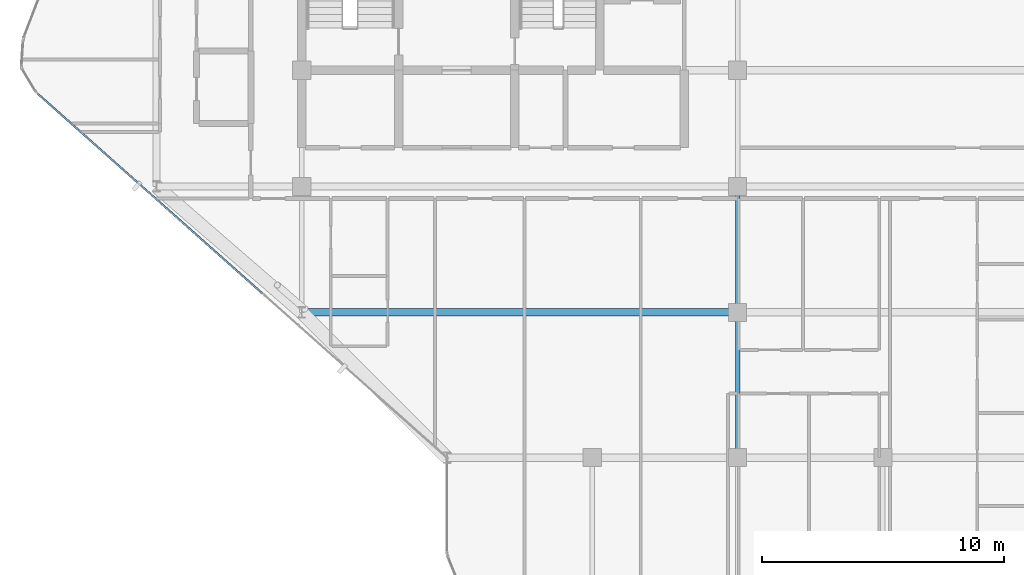
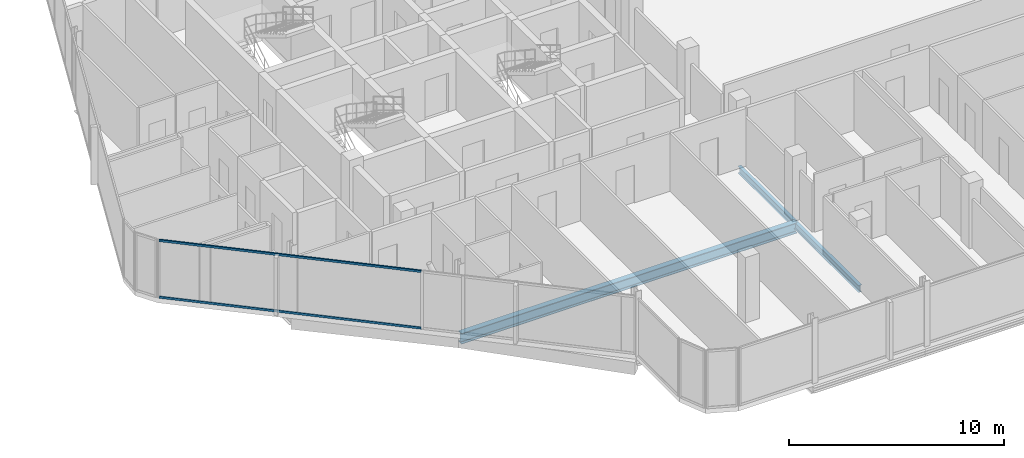
# One storey, part 7 of 28: 3 beams, 2 members, 1 element without a shape of its own.
"""IFC4 building model written with IfcOpenShell, lengths in metres."""

from ifc_helpers import new_model, si_unit, direction, frame, origin, origin_2d, place, context, subcontext, project, spatial, hollow_rectangle, i_section, extrude, material, layer, layer_set, material_profile, profile_set, type_object, element, aggregate, save


model = new_model("IFC4")

# Units and contexts
model_context = context("Model", 3, precision=1e-05, world=origin(), true_north=direction((0.0, 1.0)))
body_context = subcontext(model_context, "Body", "Model", "MODEL_VIEW")
ifc_project = project(units=[si_unit("LENGTHUNIT", "METRE"), si_unit("AREAUNIT", "SQUARE_METRE"), si_unit("VOLUMEUNIT", "CUBIC_METRE"), si_unit("PLANEANGLEUNIT", "RADIAN"), si_unit("MASSUNIT", "GRAM", prefix="KILO")], contexts=[model_context])

# Site, building, storey
site_placement = place(None, origin())
site = spatial("IfcSite", under=ifc_project, at=site_placement, CompositionType="ELEMENT")
building_placement = place(site_placement, origin())
building = spatial("IfcBuilding", under=site, at=building_placement, Name="Keshet Zoharim Tower", CompositionType="ELEMENT")
storey_placement = place(building_placement, frame((0.0, 0.0, 233.89990234375)))
storey = spatial("IfcBuildingStorey", under=building, at=storey_placement, Name="L58", CompositionType="ELEMENT", Elevation=233.89990234375)

# Beams
ifc_material_1 = material(Name="Steel S355", Category="steel")
ifc_material_profile_1 = material_profile(ifc_material_1, i_section(OverallWidth=0.300048828125, OverallDepth=0.60009765625, WebThickness=0.015380859375, FlangeThickness=0.030029296875, FilletRadius=0.027099609375, at=origin_2d()), Name="HEB600")
ifc_profile_set_1 = profile_set([ifc_material_profile_1], Name="Steel S355")
beam_type_1 = type_object("IfcBeamType", Name="BM-LNG-HB600", PredefinedType="BEAM", material=ifc_profile_set_1)
beam_1_placement = place(storey_placement, frame((15.0, 12.699951171875, -0.60986328125), z_axis=(1.0, 0.0, 0.0), x_axis=(0.0, 1.0, 0.0)))
element("IfcBeam", 1, at=beam_1_placement, inside=storey, type_object=beam_type_1, Name="L58 Primary Girder X-009", PredefinedType="BEAM", context=body_context, shape_type="SweptSolid", body=[
    extrude(i_section(OverallWidth=0.300048828125, OverallDepth=0.60009765625, WebThickness=0.015380859375, FlangeThickness=0.030029296875, FilletRadius=0.027099609375, at=origin_2d()), origin(), (0.0, 0.0, 1.0), 18.0),
])
ifc_material_profile_2 = material_profile(ifc_material_1, i_section(OverallWidth=0.179931640625, OverallDepth=0.39990234375, WebThickness=0.008544921875, FlangeThickness=0.013427734375, FilletRadius=0.02099609375, at=origin_2d()), Name="IPE400")
ifc_profile_set_2 = profile_set([ifc_material_profile_2], Name="Steel S355")
beam_type_2 = type_object("IfcBeamType", Name="BM-PRI-IP400", PredefinedType="BEAM", material=ifc_profile_set_2)
beam_2_placement = place(storey_placement, frame((33.0, 6.699951171875, -0.510009765625), z_axis=(0.0, 1.0, 0.0), x_axis=(-1.0, 0.0, 0.0)))
element("IfcBeam", 2, at=beam_2_placement, inside=storey, type_object=beam_type_2, Name="L58 Primary Girder Y-006", PredefinedType="BEAM", context=body_context, shape_type="SweptSolid", body=[
    extrude(i_section(OverallWidth=0.179931640625, OverallDepth=0.39990234375, WebThickness=0.008544921875, FlangeThickness=0.013427734375, FilletRadius=0.02099609375, at=origin_2d()), origin(), (0.0, 0.0, 1.0), 6.0),
])
beam_3_placement = place(storey_placement, frame((33.0, 12.699951171875, -0.510009765625), z_axis=(0.0, 1.0, 0.0), x_axis=(-1.0, 0.0, 0.0)))
element("IfcBeam", 3, at=beam_3_placement, inside=storey, type_object=beam_type_2, Name="L58 Primary Girder Y-007", PredefinedType="BEAM", context=body_context, shape_type="SweptSolid", body=[
    extrude(i_section(OverallWidth=0.179931640625, OverallDepth=0.39990234375, WebThickness=0.008544921875, FlangeThickness=0.013427734375, FilletRadius=0.02099609375, at=origin_2d()), origin(), (0.0, 0.0, 1.0), 5.199951171875),
])

# Curtain wall, members
ifc_material_2 = material(Name="Aluminium 6063-T6", Category="aluminium")
ifc_layer = layer(ifc_material_2, 0.139892578125)
ifc_layer_set = layer_set([ifc_layer], Name="Aluminium 6063-T6")
curtain_wall_type = type_object("IfcCurtainWallType", Name="CW-SYS-05", PredefinedType="NOTDEFINED", material=ifc_layer_set)
curtain_wall_placement = place(storey_placement, origin())
curtain_wall = element("IfcCurtainWall", 4, at=curtain_wall_placement, inside=storey, type_object=curtain_wall_type, Name="L58 Unitised Curtain Wall 10 Part 3", PredefinedType="NOTDEFINED")
ifc_material_profile_3 = material_profile(ifc_material_2, hollow_rectangle(XDim=0.074951171875, YDim=0.1201171875, WallThickness=0.00390625, at=origin_2d()), Name="TRN-75x120")
ifc_profile_set_3 = profile_set([ifc_material_profile_3], Name="Aluminium 6063-T6")
member_type = type_object("IfcMemberType", Name="CWT-T12", PredefinedType="USERDEFINED", material=ifc_profile_set_3)
member_1_placement = place(storey_placement, frame((13.380126953125, 13.47314453125, 0.03515625), z_axis=(-0.747407151943, 0.664366276406, 0.0), x_axis=(-0.664366276406, -0.747407151943, 0.0)))
member_1 = element("IfcMember", 5, at=member_1_placement, type_object=member_type, Name="CW-05 transom 1.1", ObjectType="TRANSOM", PredefinedType="USERDEFINED", context=body_context, shape_type="SweptSolid", body=[
    extrude(hollow_rectangle(XDim=0.074951171875, YDim=0.1201171875, WallThickness=0.00390625, at=origin_2d()), origin(), (0.0, 0.0, 1.0), 12.433349609375),
])
member_2_placement = place(storey_placement, frame((13.380126953125, 13.47314453125, 3.2451171875), z_axis=(-0.747407151943, 0.664366276406, 0.0), x_axis=(-0.664366276406, -0.747407151943, 0.0)))
member_2 = element("IfcMember", 6, at=member_2_placement, type_object=member_type, Name="CW-05 transom 1.2", ObjectType="TRANSOM", PredefinedType="USERDEFINED", context=body_context, shape_type="SweptSolid", body=[
    extrude(hollow_rectangle(XDim=0.074951171875, YDim=0.1201171875, WallThickness=0.00390625, at=origin_2d()), origin(), (0.0, 0.0, 1.0), 12.433349609375),
])
aggregate(curtain_wall, [member_1, member_2])

save(model, "model.ifc")
